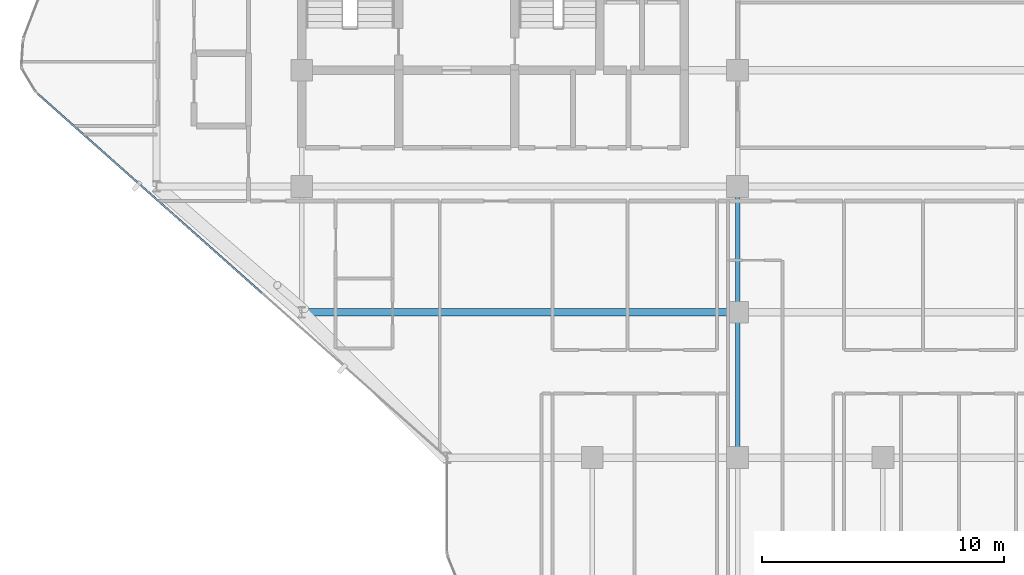
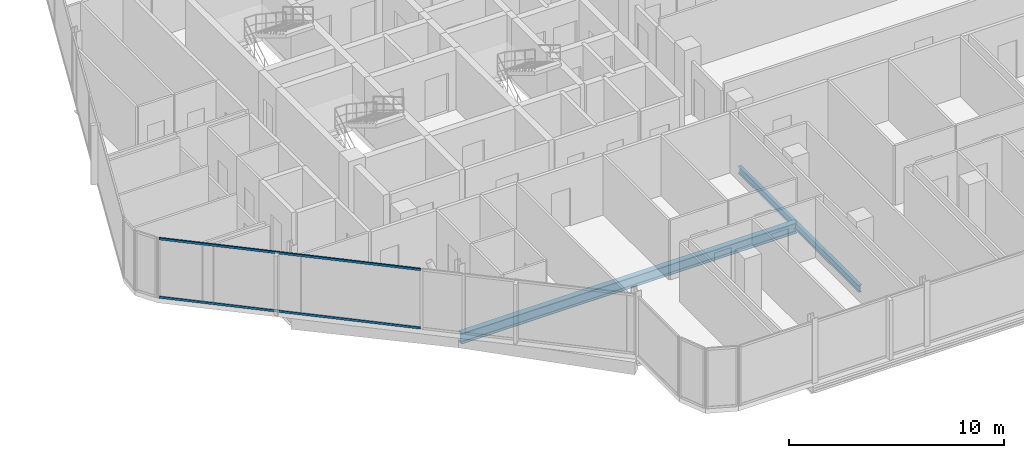
# One storey, part 7 of 29: 3 beams, 2 members, 1 element without a shape of its own.
"""IFC4 building model written with IfcOpenShell, lengths in metres."""

from ifc_helpers import new_model, si_unit, direction, frame, origin, origin_2d, place, context, subcontext, project, spatial, hollow_rectangle, i_section, extrude, material, layer, layer_set, material_profile, profile_set, type_object, element, aggregate, save


model = new_model("IFC4")

# Units and contexts
model_context = context("Model", 3, precision=1e-05, world=origin(), true_north=direction((0.0, 1.0)))
body_context = subcontext(model_context, "Body", "Model", "MODEL_VIEW")
ifc_project = project(units=[si_unit("LENGTHUNIT", "METRE"), si_unit("AREAUNIT", "SQUARE_METRE"), si_unit("VOLUMEUNIT", "CUBIC_METRE"), si_unit("PLANEANGLEUNIT", "RADIAN"), si_unit("MASSUNIT", "GRAM", prefix="KILO")], contexts=[model_context])

# Site, building, storey
site_placement = place(None, origin())
site = spatial("IfcSite", under=ifc_project, at=site_placement, CompositionType="ELEMENT")
building_placement = place(site_placement, origin())
building = spatial("IfcBuilding", under=site, at=building_placement, Name="Keshet Zoharim Tower", CompositionType="ELEMENT")
storey_placement = place(building_placement, frame((0.0, 0.0, 180.199951171875)))
storey = spatial("IfcBuildingStorey", under=building, at=storey_placement, Name="L44", CompositionType="ELEMENT", Elevation=180.199951171875)

# Beams
ifc_material_1 = material(Name="Steel S355", Category="steel")
ifc_material_profile_1 = material_profile(ifc_material_1, i_section(OverallWidth=0.300048828125, OverallDepth=0.60009765625, WebThickness=0.015380859375, FlangeThickness=0.030029296875, FilletRadius=0.027099609375, at=origin_2d()), Name="HEB600")
ifc_profile_set_1 = profile_set([ifc_material_profile_1], Name="Steel S355")
beam_type_1 = type_object("IfcBeamType", Name="BM-LNG-HB600", PredefinedType="BEAM", material=ifc_profile_set_1)
beam_1_placement = place(storey_placement, frame((15.0, 12.699951171875, -0.60986328125), z_axis=(1.0, 0.0, 0.0), x_axis=(0.0, 1.0, 0.0)))
element("IfcBeam", 1, at=beam_1_placement, inside=storey, type_object=beam_type_1, Name="L44 Primary Girder X-009", PredefinedType="BEAM", context=body_context, shape_type="SweptSolid", body=[
    extrude(i_section(OverallWidth=0.300048828125, OverallDepth=0.60009765625, WebThickness=0.015380859375, FlangeThickness=0.030029296875, FilletRadius=0.027099609375, at=origin_2d()), origin(), (0.0, 0.0, 1.0), 18.0),
])
ifc_material_profile_2 = material_profile(ifc_material_1, i_section(OverallWidth=0.179931640625, OverallDepth=0.39990234375, WebThickness=0.008544921875, FlangeThickness=0.013427734375, FilletRadius=0.02099609375, at=origin_2d()), Name="IPE400")
ifc_profile_set_2 = profile_set([ifc_material_profile_2], Name="Steel S355")
beam_type_2 = type_object("IfcBeamType", Name="BM-PRI-IP400", PredefinedType="BEAM", material=ifc_profile_set_2)
beam_2_placement = place(storey_placement, frame((33.0, 6.699951171875, -0.510009765625), z_axis=(0.0, 1.0, 0.0), x_axis=(-1.0, 0.0, 0.0)))
element("IfcBeam", 2, at=beam_2_placement, inside=storey, type_object=beam_type_2, Name="L44 Primary Girder Y-006", PredefinedType="BEAM", context=body_context, shape_type="SweptSolid", body=[
    extrude(i_section(OverallWidth=0.179931640625, OverallDepth=0.39990234375, WebThickness=0.008544921875, FlangeThickness=0.013427734375, FilletRadius=0.02099609375, at=origin_2d()), origin(), (0.0, 0.0, 1.0), 6.0),
])
beam_3_placement = place(storey_placement, frame((33.0, 12.699951171875, -0.510009765625), z_axis=(0.0, 1.0, 0.0), x_axis=(-1.0, 0.0, 0.0)))
element("IfcBeam", 3, at=beam_3_placement, inside=storey, type_object=beam_type_2, Name="L44 Primary Girder Y-007", PredefinedType="BEAM", context=body_context, shape_type="SweptSolid", body=[
    extrude(i_section(OverallWidth=0.179931640625, OverallDepth=0.39990234375, WebThickness=0.008544921875, FlangeThickness=0.013427734375, FilletRadius=0.02099609375, at=origin_2d()), origin(), (0.0, 0.0, 1.0), 5.199951171875),
])

# Curtain wall, members
ifc_material_2 = material(Name="Aluminium 6063-T6", Category="aluminium")
ifc_layer = layer(ifc_material_2, 0.139892578125)
ifc_layer_set = layer_set([ifc_layer], Name="Aluminium 6063-T6")
curtain_wall_type = type_object("IfcCurtainWallType", Name="CW-SYS-05", PredefinedType="NOTDEFINED", material=ifc_layer_set)
curtain_wall_placement = place(storey_placement, origin())
curtain_wall = element("IfcCurtainWall", 4, at=curtain_wall_placement, inside=storey, type_object=curtain_wall_type, Name="L44 Unitised Curtain Wall 10 Part 3", PredefinedType="NOTDEFINED")
ifc_material_profile_3 = material_profile(ifc_material_2, hollow_rectangle(XDim=0.074951171875, YDim=0.1201171875, WallThickness=0.00390625, at=origin_2d()), Name="TRN-75x120")
ifc_profile_set_3 = profile_set([ifc_material_profile_3], Name="Aluminium 6063-T6")
member_type = type_object("IfcMemberType", Name="CWT-T12", PredefinedType="USERDEFINED", material=ifc_profile_set_3)
member_1_placement = place(storey_placement, frame((13.3623046875, 13.489013671875, 0.03515625), z_axis=(-0.747408233231, 0.664365059962, 0.0), x_axis=(-0.664365059962, -0.747408233231, 0.0)))
member_1 = element("IfcMember", 5, at=member_1_placement, type_object=member_type, Name="CW-05 transom 1.1", ObjectType="TRANSOM", PredefinedType="USERDEFINED", context=body_context, shape_type="SweptSolid", body=[
    extrude(hollow_rectangle(XDim=0.074951171875, YDim=0.1201171875, WallThickness=0.00390625, at=origin_2d()), origin(), (0.0, 0.0, 1.0), 12.409423828125),
])
member_2_placement = place(storey_placement, frame((13.3623046875, 13.489013671875, 3.344970703125), z_axis=(-0.747408233231, 0.664365059962, 0.0), x_axis=(-0.664365059962, -0.747408233231, 0.0)))
member_2 = element("IfcMember", 6, at=member_2_placement, type_object=member_type, Name="CW-05 transom 1.2", ObjectType="TRANSOM", PredefinedType="USERDEFINED", context=body_context, shape_type="SweptSolid", body=[
    extrude(hollow_rectangle(XDim=0.074951171875, YDim=0.1201171875, WallThickness=0.00390625, at=origin_2d()), origin(), (0.0, 0.0, 1.0), 12.409423828125),
])
aggregate(curtain_wall, [member_1, member_2])

save(model, "model.ifc")
